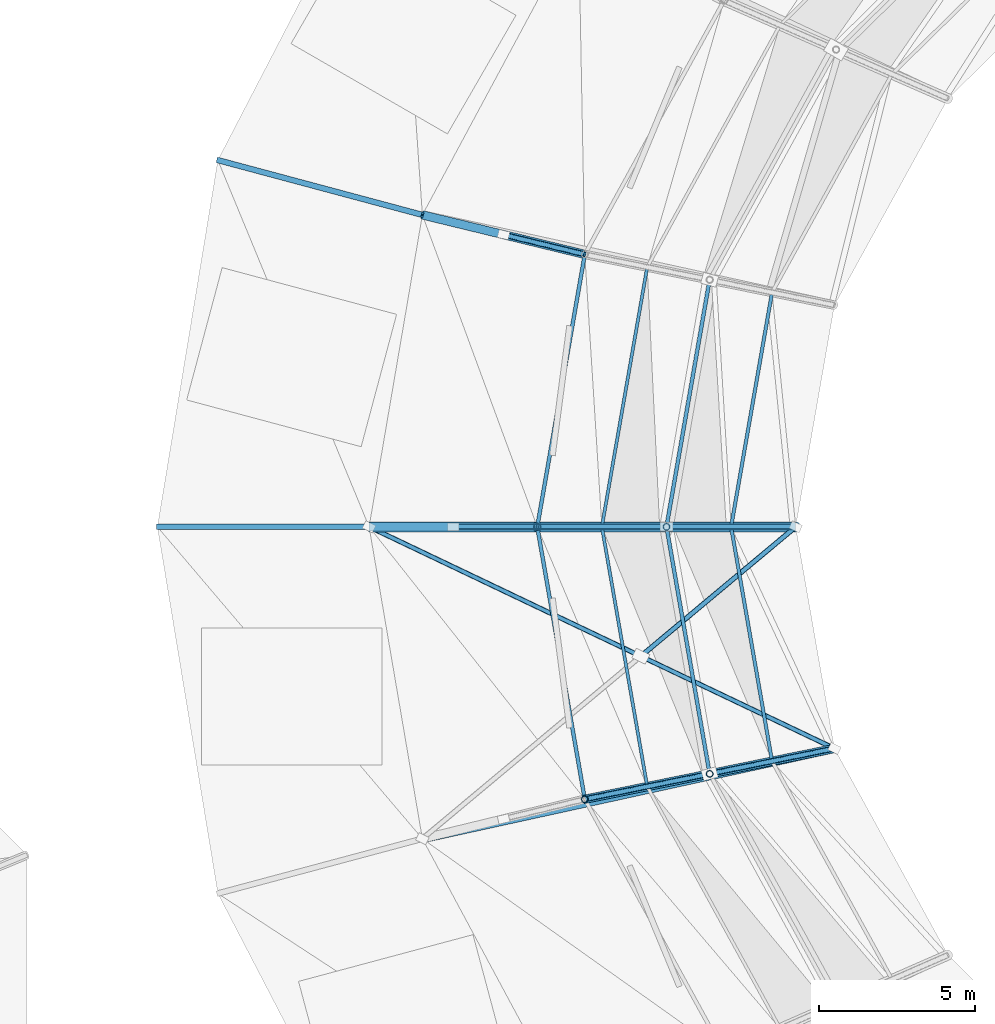
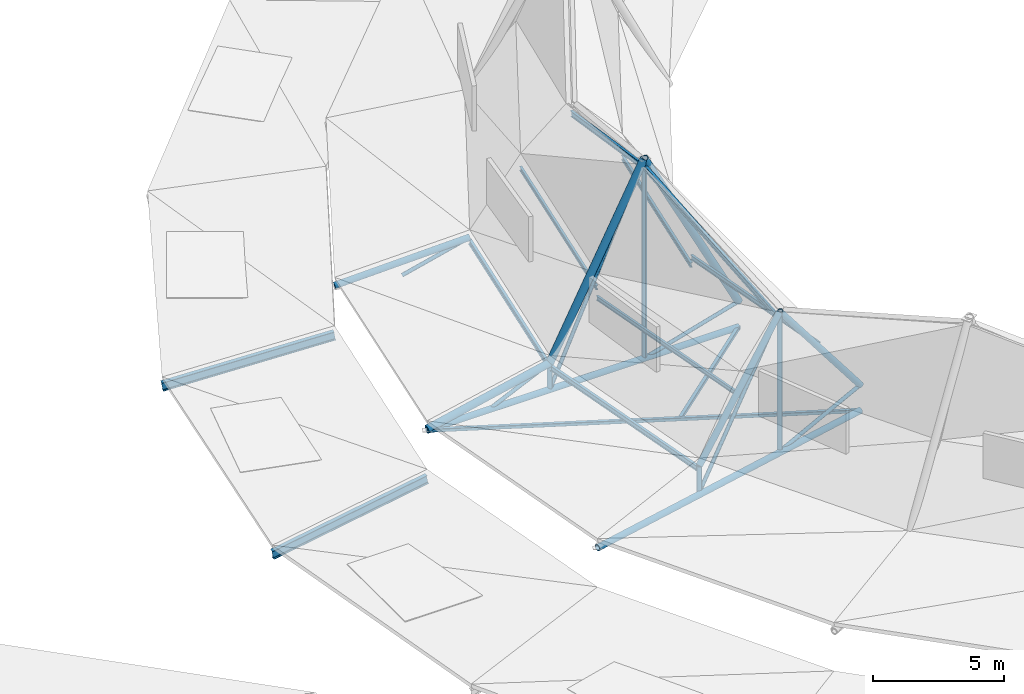
# One storey, part 7 of 36: 26 members, 4 beams.
"""IFC4 building model written with IfcOpenShell, lengths in metres."""

from ifc_helpers import new_model, si_unit, direction, frame, origin, origin_2d, place, context, subcontext, project, spatial, hollow_rectangle, hollow_circle, i_section, extrude, material, material_profile, profile_set, type_object, element, save


model = new_model("IFC4")

# Units and contexts
model_context = context("Model", 3, precision=1e-05, world=origin(), true_north=direction((0.0, 1.0)))
body_context = subcontext(model_context, "Body", "Model", "MODEL_VIEW")
ifc_project = project(units=[si_unit("LENGTHUNIT", "METRE"), si_unit("AREAUNIT", "SQUARE_METRE"), si_unit("VOLUMEUNIT", "CUBIC_METRE"), si_unit("PLANEANGLEUNIT", "RADIAN"), si_unit("MASSUNIT", "GRAM", prefix="KILO")], contexts=[model_context])

# Site, building, storey
site_placement = place(None, origin())
site = spatial("IfcSite", under=ifc_project, at=site_placement, CompositionType="ELEMENT")
building_placement = place(site_placement, origin())
building = spatial("IfcBuilding", under=site, at=building_placement, Name="Kildeholm Park Wholesale Market", CompositionType="ELEMENT")
storey_placement = place(building_placement, frame((0.0, 0.0, 17.39990234375)))
storey = spatial("IfcBuildingStorey", under=building, at=storey_placement, Name="Roof", CompositionType="ELEMENT", Elevation=17.39990234375)

# Beams
ifc_material = material(Name="Steel S355", Category="steel")
ifc_material_profile_1 = material_profile(ifc_material, i_section(OverallWidth=0.179931640625, OverallDepth=0.39990234375, WebThickness=0.008544921875, FlangeThickness=0.013427734375, FilletRadius=0.02099609375, at=origin_2d()), Name="IPE 400")
ifc_profile_set_1 = profile_set([ifc_material_profile_1], Name="Steel S355")
beam_type_1 = type_object("IfcBeamType", Name="Beam B-P01 IPE 400", PredefinedType="BEAM", material=ifc_profile_set_1)
beam_1_placement = place(storey_placement, frame((43.94189453125, 101.27587890625, -8.0244140625), z_axis=(0.952422278961, -0.255140290138, 0.166719029766), x_axis=(0.258761805275, 0.965941161837, 0.0)))
element("IfcBeam", 1, at=beam_1_placement, inside=storey, type_object=beam_type_1, Name="Beam BM-V1-RF-S1-11 BM-0285", PredefinedType="BEAM", context=body_context, shape_type="SweptSolid", body=[
    extrude(i_section(OverallWidth=0.179931640625, OverallDepth=0.39990234375, WebThickness=0.008544921875, FlangeThickness=0.013427734375, FilletRadius=0.02099609375, at=origin_2d()), origin(), (0.0, 0.0, 1.0), 6.897216796875),
])
beam_2_placement = place(storey_placement, frame((42.0, 89.5, -8.02490234375), z_axis=(0.98599593418, 0.0, 0.16676935504), x_axis=(0.0, 1.0, 0.0)))
element("IfcBeam", 2, at=beam_2_placement, inside=storey, type_object=beam_type_1, Name="Beam BM-V1-RF-S1-12 BM-0291", PredefinedType="BEAM", context=body_context, shape_type="SweptSolid", body=[
    extrude(i_section(OverallWidth=0.179931640625, OverallDepth=0.39990234375, WebThickness=0.008544921875, FlangeThickness=0.013427734375, FilletRadius=0.02099609375, at=origin_2d()), origin(), (0.0, 0.0, 1.0), 6.896728515625),
])
ifc_material_profile_2 = material_profile(ifc_material, hollow_circle(Radius=0.136474609375, WallThickness=0.01611328125, at=origin_2d()), Name="CHS 273x16")
ifc_profile_set_2 = profile_set([ifc_material_profile_2], Name="Steel S355")
beam_type_2 = type_object("IfcBeamType", Name="Beam B-T01 CHS 273x16", PredefinedType="BEAM", material=ifc_profile_set_2)
beam_3_placement = place(storey_placement, frame((48.800048828125, 89.5, -4.6298828125), z_axis=(1.0, 0.0, 0.0), x_axis=(0.0, 1.0, 0.0)))
element("IfcBeam", 3, at=beam_3_placement, inside=storey, type_object=beam_type_2, Name="Beam BM-V1-TIE-12 BM-0296", PredefinedType="BEAM", context=body_context, shape_type="SweptSolid", body=[
    extrude(hollow_circle(Radius=0.136474609375, WallThickness=0.01611328125, at=origin_2d()), origin(), (0.0, 0.0, 1.0), 13.699951171875),
])
beam_4_placement = place(storey_placement, frame((50.510986328125, 79.48388671875, -4.6298828125), z_axis=(0.976846137752, 0.213943037181, 0.0), x_axis=(-0.213943037181, 0.976846137752, 0.0)))
element("IfcBeam", 4, at=beam_4_placement, inside=storey, type_object=beam_type_2, Name="Beam BM-V1-TIE-13 BM-0302", PredefinedType="BEAM", context=body_context, shape_type="SweptSolid", body=[
    extrude(hollow_circle(Radius=0.136474609375, WallThickness=0.01611328125, at=origin_2d()), origin(), (0.0, 0.0, 1.0), 13.546630859375),
])

# Members
ifc_material_profile_3 = material_profile(ifc_material, i_section(OverallWidth=0.10009765625, OverallDepth=0.199951171875, WebThickness=0.005615234375, FlangeThickness=0.008544921875, FilletRadius=0.011962890625, at=origin_2d()), Name="IPE 200")
ifc_profile_set_3 = profile_set([ifc_material_profile_3], Name="Steel S355")
member_type_1 = type_object("IfcMemberType", Name="Member PR-01 IPE 200", PredefinedType="PURLIN", material=ifc_profile_set_3)
for number, where, z_axis, x_axis, name in (
    (5, (57.7314453125, 97.840576171875, -0.630126953125), (-0.172029893705, -0.985091729572, 0.0), (0.985091729572, -0.172029893705, 0.0), "Member PR-V1-MDO-11 MEM-0152"),
    (6, (56.27490234375, 89.5, -1.08056640625), (0.172029893705, -0.985091729572, 0.0), (0.985091729572, 0.172029893705, 0.0), "Member PR-V1-MDO-12 MEM-0164"),
):
    element("IfcMember", number, at=place(storey_placement, frame(where, z_axis=z_axis, x_axis=x_axis)), inside=storey, type_object=member_type_1, Name=name, PredefinedType="PURLIN", context=body_context, shape_type="SweptSolid", body=[
        extrude(i_section(OverallWidth=0.10009765625, OverallDepth=0.199951171875, WebThickness=0.005615234375, FlangeThickness=0.008544921875, FilletRadius=0.011962890625, at=origin_2d()), origin(), (0.0, 0.0, 1.0), 8.466796875),
    ])
ifc_material_profile_4 = material_profile(ifc_material, i_section(OverallWidth=0.1201171875, OverallDepth=0.239990234375, WebThickness=0.006103515625, FlangeThickness=0.009765625, FilletRadius=0.014892578125, at=origin_2d()), Name="IPE 240")
ifc_profile_set_4 = profile_set([ifc_material_profile_4], Name="Steel S355")
member_type_2 = type_object("IfcMemberType", Name="Member PR-02 IPE 240", PredefinedType="PURLIN", material=ifc_profile_set_4)
member_1_placement = place(storey_placement, frame((55.72705078125, 98.248046875, -3.573486328125), z_axis=(-0.171964181022, -0.985103202941, 0.0), x_axis=(0.985103202941, -0.171964181022, 0.0)))
element("IfcMember", 7, at=member_1_placement, inside=storey, type_object=member_type_2, Name="Member PR-V1-STP2-11 MEM-0150", PredefinedType="PURLIN", context=body_context, shape_type="SweptSolid", body=[
    extrude(i_section(OverallWidth=0.1201171875, OverallDepth=0.239990234375, WebThickness=0.006103515625, FlangeThickness=0.009765625, FilletRadius=0.014892578125, at=origin_2d()), origin(), (0.0, 0.0, 1.0), 8.88037109375),
])
member_2_placement = place(storey_placement, frame((59.736083984375, 97.43310546875, 1.46435546875), z_axis=(-0.162556933897, -0.930443017445, 0.328406812552), x_axis=(0.985079072811, -0.172102354168, 0.0)))
element("IfcMember", 8, at=member_2_placement, inside=storey, type_object=member_type_2, Name="Member PR-V1-CRWN-11 MEM-0151", PredefinedType="PURLIN", context=body_context, shape_type="SweptSolid", body=[
    extrude(i_section(OverallWidth=0.1201171875, OverallDepth=0.239990234375, WebThickness=0.006103515625, FlangeThickness=0.009765625, FilletRadius=0.014892578125, at=origin_2d()), origin(), (0.0, 0.0, 1.0), 8.526123046875),
])
member_3_placement = place(storey_placement, frame((54.199951171875, 89.5, -3.573486328125), z_axis=(0.171964181022, -0.985103202941, 0.0), x_axis=(0.985103202941, 0.171964181022, 0.0)))
element("IfcMember", 9, at=member_3_placement, inside=storey, type_object=member_type_2, Name="Member PR-V1-STP2-12 MEM-0162", PredefinedType="PURLIN", context=body_context, shape_type="SweptSolid", body=[
    extrude(i_section(OverallWidth=0.1201171875, OverallDepth=0.239990234375, WebThickness=0.006103515625, FlangeThickness=0.009765625, FilletRadius=0.014892578125, at=origin_2d()), origin(), (0.0, 0.0, 1.0), 8.88037109375),
])
member_4_placement = place(storey_placement, frame((58.35009765625, 89.5, 4.287353515625), z_axis=(0.162556933897, -0.930443017445, -0.328406812552), x_axis=(0.985079072811, 0.172102354168, 0.0)))
element("IfcMember", 10, at=member_4_placement, inside=storey, type_object=member_type_2, Name="Member PR-V1-CRWN-12 MEM-0163", PredefinedType="PURLIN", context=body_context, shape_type="SweptSolid", body=[
    extrude(i_section(OverallWidth=0.1201171875, OverallDepth=0.239990234375, WebThickness=0.006103515625, FlangeThickness=0.009765625, FilletRadius=0.014892578125, at=origin_2d()), origin(), (0.0, 0.0, 1.0), 8.526123046875),
])
ifc_material_profile_5 = material_profile(ifc_material, i_section(OverallWidth=0.110107421875, OverallDepth=0.219970703125, WebThickness=0.005859375, FlangeThickness=0.00927734375, FilletRadius=0.011962890625, at=origin_2d()), Name="IPE 220")
ifc_profile_set_5 = profile_set([ifc_material_profile_5], Name="Steel S355")
member_type_3 = type_object("IfcMemberType", Name="Member PR-03 IPE 220", PredefinedType="PURLIN", material=ifc_profile_set_5)
for number, where, z_axis, x_axis, name in (
    (11, (61.739990234375, 97.025390625, -1.030517578125), (-0.172126056988, -0.985074931417, 0.0), (0.985074931417, -0.172126056988, 0.0), "Member PR-V1-MDI-11 MEM-0153"),
    (12, (60.425048828125, 89.5, -0.640380859375), (0.172126056988, -0.985074931417, 0.0), (0.985074931417, 0.172126056988, 0.0), "Member PR-V1-MDI-12 MEM-0165"),
):
    element("IfcMember", number, at=place(storey_placement, frame(where, z_axis=z_axis, x_axis=x_axis)), inside=storey, type_object=member_type_3, Name=name, PredefinedType="PURLIN", context=body_context, shape_type="SweptSolid", body=[
        extrude(i_section(OverallWidth=0.110107421875, OverallDepth=0.219970703125, WebThickness=0.005859375, FlangeThickness=0.00927734375, FilletRadius=0.011962890625, at=origin_2d()), origin(), (0.0, 0.0, 1.0), 7.639404296875),
    ])
ifc_material_profile_6 = material_profile(ifc_material, hollow_circle(Radius=0.084228515625, WallThickness=0.010009765625, at=origin_2d()), Name="CHS 168.3x10")
ifc_profile_set_6 = profile_set([ifc_material_profile_6], Name="Steel S355")
member_type_4 = type_object("IfcMemberType", Name="Member TB-01 CHS 168.3x10", PredefinedType="BRACE", material=ifc_profile_set_6)
member_5_placement = place(storey_placement, frame((53.118896484375, 98.882080078125, -4.6298828125), z_axis=(0.882118272304, -0.214439872056, 0.419383946928), x_axis=(0.23621695959, 0.971700338583, 0.0)))
element("IfcMember", 13, at=member_5_placement, inside=storey, type_object=member_type_4, Name="Member TR-V1-11-WB1 MEM-0147", PredefinedType="BRACE", context=body_context, shape_type="SweptSolid", body=[
    extrude(hollow_circle(Radius=0.084228515625, WallThickness=0.010009765625, at=origin_2d()), origin(), (0.0, 0.0, 1.0), 2.956787109375),
])
member_6_placement = place(storey_placement, frame((51.5, 89.5, -4.6298828125), z_axis=(0.908744235271, 0.0, 0.417353465136), x_axis=(0.0, 1.0, 0.0)))
element("IfcMember", 14, at=member_6_placement, inside=storey, type_object=member_type_4, Name="Member TR-V1-12-WB1 MEM-0159", PredefinedType="BRACE", context=body_context, shape_type="SweptSolid", body=[
    extrude(hollow_circle(Radius=0.084228515625, WallThickness=0.010009765625, at=origin_2d()), origin(), (0.0, 0.0, 1.0), 2.97119140625),
])
member_7_placement = place(storey_placement, frame((54.199951171875, 89.5, -4.6298828125), z_axis=(0.407880908332, 0.0, 0.913035138764), x_axis=(0.0, 1.0, 0.0)))
element("IfcMember", 15, at=member_7_placement, inside=storey, type_object=member_type_4, Name="Member TR-V1-12-WB2 MEM-0160", PredefinedType="BRACE", context=body_context, shape_type="SweptSolid", body=[
    extrude(hollow_circle(Radius=0.084228515625, WallThickness=0.010009765625, at=origin_2d()), origin(), (0.0, 0.0, 1.0), 10.1748046875),
])
member_8_placement = place(storey_placement, frame((58.35009765625, 89.5, -4.6298828125), z_axis=(0.96126316535, 0.0, 0.275632231317), x_axis=(0.0, 1.0, 0.0)))
element("IfcMember", 16, at=member_8_placement, inside=storey, type_object=member_type_4, Name="Member TR-V1-12-WB3 MEM-0161", PredefinedType="BRACE", context=body_context, shape_type="SweptSolid", body=[
    extrude(hollow_circle(Radius=0.084228515625, WallThickness=0.010009765625, at=origin_2d()), origin(), (0.0, 0.0, 1.0), 4.317138671875),
])
member_9_placement = place(storey_placement, frame((55.72705078125, 80.751953125, -4.6298828125), z_axis=(0.522567771104, 0.106225639117, 0.845954513078), x_axis=(-0.199202307798, 0.979958387161, 0.0)))
element("IfcMember", 17, at=member_9_placement, inside=storey, type_object=member_type_4, Name="Member TR-V1-13-WB2 MEM-0175", PredefinedType="BRACE", context=body_context, shape_type="SweptSolid", body=[
    extrude(hollow_circle(Radius=0.084228515625, WallThickness=0.010009765625, at=origin_2d()), origin(), (0.0, 0.0, 1.0), 7.671875),
])
member_10_placement = place(storey_placement, frame((59.736083984375, 81.56689453125, -4.6298828125), z_axis=(0.940919042556, 0.191382107888, 0.279363999355), x_axis=(-0.199317895767, 0.979934883769, 0.0)))
element("IfcMember", 18, at=member_10_placement, inside=storey, type_object=member_type_4, Name="Member TR-V1-13-WB3 MEM-0176", PredefinedType="BRACE", context=body_context, shape_type="SweptSolid", body=[
    extrude(hollow_circle(Radius=0.084228515625, WallThickness=0.010009765625, at=origin_2d()), origin(), (0.0, 0.0, 1.0), 4.259521484375),
])
ifc_material_profile_7 = material_profile(ifc_material, hollow_circle(Radius=0.109619140625, WallThickness=0.012451171875, at=origin_2d()), Name="CHS 219.1x12.5")
ifc_profile_set_7 = profile_set([ifc_material_profile_7], Name="Steel S355")
member_type_5 = type_object("IfcMemberType", Name="Member TB-02 CHS 219.1x12.5", PredefinedType="BRACE", material=ifc_profile_set_7)
member_11_placement = place(storey_placement, frame((54.199951171875, 89.5, -4.6298828125), z_axis=(0.0, 0.0, 1.0), x_axis=(1.0, 0.0, 0.0)))
element("IfcMember", 19, at=member_11_placement, inside=storey, type_object=member_type_5, Name="Member TR-V1-12-VT1 MEM-0157", PredefinedType="BRACE", context=body_context, shape_type="SweptSolid", body=[
    extrude(hollow_circle(Radius=0.109619140625, WallThickness=0.012451171875, at=origin_2d()), origin(), (0.0, 0.0, 1.0), 1.239990234375),
])
member_12_placement = place(storey_placement, frame((58.35009765625, 89.5, -4.6298828125), z_axis=(0.0, 0.0, 1.0), x_axis=(1.0, 0.0, 0.0)))
element("IfcMember", 20, at=member_12_placement, inside=storey, type_object=member_type_5, Name="Member TR-V1-12-VT2 MEM-0158", PredefinedType="BRACE", context=body_context, shape_type="SweptSolid", body=[
    extrude(hollow_circle(Radius=0.109619140625, WallThickness=0.012451171875, at=origin_2d()), origin(), (0.0, 0.0, 1.0), 9.2900390625),
])
member_13_placement = place(storey_placement, frame((55.72705078125, 80.751953125, -4.6298828125), z_axis=(0.0, 0.0, 1.0), x_axis=(1.0, 0.0, 0.0)))
element("IfcMember", 21, at=member_13_placement, inside=storey, type_object=member_type_5, Name="Member TR-V1-13-VT1 MEM-0172", PredefinedType="BRACE", context=body_context, shape_type="SweptSolid", body=[
    extrude(hollow_circle(Radius=0.109619140625, WallThickness=0.012451171875, at=origin_2d()), origin(), (0.0, 0.0, 1.0), 1.239990234375),
])
member_14_placement = place(storey_placement, frame((59.736083984375, 81.56689453125, -4.6298828125), z_axis=(0.0, 0.0, 1.0), x_axis=(1.0, 0.0, 0.0)))
element("IfcMember", 22, at=member_14_placement, inside=storey, type_object=member_type_5, Name="Member TR-V1-13-VT2 MEM-0173", PredefinedType="BRACE", context=body_context, shape_type="SweptSolid", body=[
    extrude(hollow_circle(Radius=0.109619140625, WallThickness=0.012451171875, at=origin_2d()), origin(), (0.0, 0.0, 1.0), 6.489990234375),
])
ifc_material_profile_8 = material_profile(ifc_material, hollow_rectangle(XDim=0.14990234375, YDim=0.14990234375, WallThickness=0.010009765625, InnerFilletRadius=0.010009765625, OuterFilletRadius=0.02001953125, at=origin_2d()), Name="SHS 150x150x10")
ifc_profile_set_8 = profile_set([ifc_material_profile_8], Name="Steel S355")
member_type_6 = type_object("IfcMemberType", Name="Member TB-03 SHS 150x150x10", PredefinedType="BRACE", material=ifc_profile_set_8)
member_15_placement = place(storey_placement, frame((48.800048828125, 89.5, -4.6298828125), z_axis=(0.902818256127, -0.43002232082, 0.0), x_axis=(0.43002232082, 0.902818256127, 0.0)))
element("IfcMember", 23, at=member_15_placement, inside=storey, type_object=member_type_6, Name="Member BR-V1-RF-12-1 MEM-0166", PredefinedType="BRACE", context=body_context, shape_type="SweptSolid", body=[
    extrude(hollow_rectangle(XDim=0.14990234375, YDim=0.14990234375, WallThickness=0.010009765625, InnerFilletRadius=0.010009765625, OuterFilletRadius=0.02001953125, at=origin_2d()), origin(), (0.0, 0.0, 1.0), 16.552490234375),
])
ifc_material_profile_9 = material_profile(ifc_material, hollow_rectangle(XDim=0.159912109375, YDim=0.159912109375, WallThickness=0.010009765625, InnerFilletRadius=0.010009765625, OuterFilletRadius=0.02001953125, at=origin_2d()), Name="SHS 160x160x10")
ifc_profile_set_9 = profile_set([ifc_material_profile_9], Name="Steel S355")
member_type_7 = type_object("IfcMemberType", Name="Member TB-04 SHS 160x160x10", PredefinedType="BRACE", material=ifc_profile_set_9)
member_16_placement = place(storey_placement, frame((57.555908203125, 85.36962890625, -4.6298828125), z_axis=(0.767434821697, 0.641126972173, 0.0), x_axis=(-0.641126972173, 0.767434821697, 0.0)))
element("IfcMember", 24, at=member_16_placement, inside=storey, type_object=member_type_7, Name="Member BR-V1-RF-12-2B MEM-0168", PredefinedType="BRACE", context=body_context, shape_type="SweptSolid", body=[
    extrude(hollow_rectangle(XDim=0.159912109375, YDim=0.159912109375, WallThickness=0.010009765625, InnerFilletRadius=0.010009765625, OuterFilletRadius=0.02001953125, at=origin_2d()), origin(), (0.0, 0.0, 1.0), 6.4423828125),
])
ifc_material_profile_10 = material_profile(ifc_material, hollow_circle(Radius=0.161865234375, WallThickness=0.01611328125, at=origin_2d()), Name="CHS 323.9x16")
ifc_profile_set_10 = profile_set([ifc_material_profile_10], Name="Steel S355")
member_type_8 = type_object("IfcMemberType", Name="Member TC-01 CHS 323.9x16", PredefinedType="CHORD", material=ifc_profile_set_10)
member_17_placement = place(storey_placement, frame((48.800048828125, 89.5, -4.579833984375), z_axis=(0.976569916083, 0.0, 0.215200369427), x_axis=(0.0, 1.0, 0.0)))
element("IfcMember", 25, at=member_17_placement, inside=storey, type_object=member_type_8, Name="Member TR-V1-12-TC1 MEM-0154", PredefinedType="CHORD", context=body_context, shape_type="SweptSolid", body=[
    extrude(hollow_circle(Radius=0.161865234375, WallThickness=0.01611328125, at=origin_2d()), origin(), (0.0, 0.0, 1.0), 5.529541015625),
])
member_18_placement = place(storey_placement, frame((54.199951171875, 89.5, -3.389892578125), z_axis=(0.458231569826, 0.0, 0.888832846161), x_axis=(0.0, 1.0, 0.0)))
element("IfcMember", 26, at=member_18_placement, inside=storey, type_object=member_type_8, Name="Member TR-V1-12-TC2 MEM-0155", PredefinedType="CHORD", context=body_context, shape_type="SweptSolid", body=[
    extrude(hollow_circle(Radius=0.161865234375, WallThickness=0.01611328125, at=origin_2d()), origin(), (0.0, 0.0, 1.0), 9.056884765625),
])
member_19_placement = place(storey_placement, frame((58.35009765625, 89.5, 4.66015625), z_axis=(0.455969160209, 0.0, -0.889995575797), x_axis=(0.0, 1.0, 0.0)))
element("IfcMember", 27, at=member_19_placement, inside=storey, type_object=member_type_8, Name="Member TR-V1-12-TC3 MEM-0156", PredefinedType="CHORD", context=body_context, shape_type="SweptSolid", body=[
    extrude(hollow_circle(Radius=0.161865234375, WallThickness=0.01611328125, at=origin_2d()), origin(), (0.0, 0.0, 1.0), 9.101318359375),
])
ifc_material_profile_11 = material_profile(ifc_material, hollow_circle(Radius=0.136474609375, WallThickness=0.01611328125, at=origin_2d()), Name="CHS 273x16")
ifc_profile_set_11 = profile_set([ifc_material_profile_11], Name="Steel S355")
member_type_9 = type_object("IfcMemberType", Name="Member TC-02 CHS 273x16", PredefinedType="CHORD", material=ifc_profile_set_11)
member_20_placement = place(storey_placement, frame((50.510986328125, 99.51611328125, -4.579833984375), z_axis=(0.948668918069, -0.230628895879, 0.216419953507), x_axis=(0.236227398885, 0.971697800767, 0.0)))
element("IfcMember", 28, at=member_20_placement, inside=storey, type_object=member_type_9, Name="Member TR-V1-11-TC1 MEM-0142", PredefinedType="CHORD", context=body_context, shape_type="SweptSolid", body=[
    extrude(hollow_circle(Radius=0.136474609375, WallThickness=0.01611328125, at=origin_2d()), origin(), (0.0, 0.0, 1.0), 5.498291015625),
])
member_21_placement = place(storey_placement, frame((55.72705078125, 80.751953125, -3.389892578125), z_axis=(0.60234152746, 0.122441752552, 0.78879192537), x_axis=(-0.199202307798, 0.979958387161, 0.0)))
element("IfcMember", 29, at=member_21_placement, inside=storey, type_object=member_type_9, Name="Member TR-V1-13-TC2 MEM-0170", PredefinedType="CHORD", context=body_context, shape_type="SweptSolid", body=[
    extrude(hollow_circle(Radius=0.136474609375, WallThickness=0.01611328125, at=origin_2d()), origin(), (0.0, 0.0, 1.0), 6.65576171875),
])
member_22_placement = place(storey_placement, frame((59.736083984375, 81.56689453125, 1.860107421875), z_axis=(0.598663896267, 0.121767711357, -0.791690699565), x_axis=(-0.199317895767, 0.979934883769, 0.0)))
element("IfcMember", 30, at=member_22_placement, inside=storey, type_object=member_type_9, Name="Member TR-V1-13-TC3 MEM-0171", PredefinedType="CHORD", context=body_context, shape_type="SweptSolid", body=[
    extrude(hollow_circle(Radius=0.136474609375, WallThickness=0.01611328125, at=origin_2d()), origin(), (0.0, 0.0, 1.0), 6.694580078125),
])

save(model, "model.ifc")
